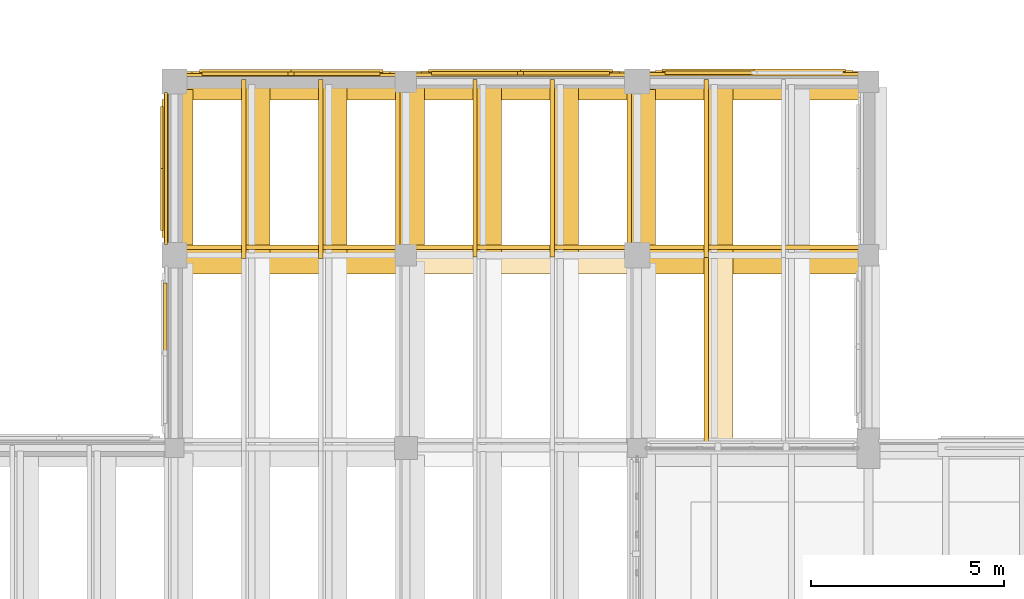
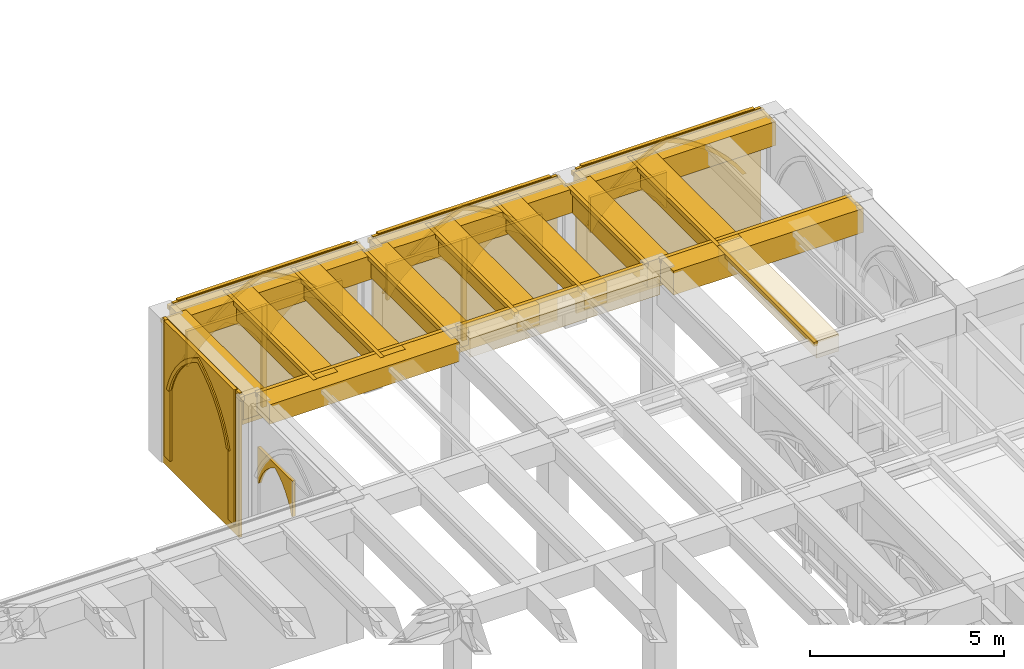
# One storey, part 105 of 127: 50 coverings.
"""IFC4 building model written with IfcOpenShell, lengths in metres."""

from ifc_helpers import new_model, si_unit, direction, frame, origin, origin_2d, place, context, subcontext, project, spatial, polyline, rectangle, outline, extrude, material, type_object, element, save


model = new_model("IFC4")

# Units and contexts
model_context = context("Model", 3, precision=1e-05, world=origin(), true_north=direction((0.0, 1.0)))
body_context = subcontext(model_context, "Body", "Model", "MODEL_VIEW")
ifc_project = project(units=[si_unit("LENGTHUNIT", "METRE"), si_unit("AREAUNIT", "SQUARE_METRE"), si_unit("VOLUMEUNIT", "CUBIC_METRE"), si_unit("PLANEANGLEUNIT", "RADIAN"), si_unit("MASSUNIT", "GRAM", prefix="KILO")], contexts=[model_context])

# Site, building, storey
site_placement = place(None, origin())
site = spatial("IfcSite", under=ifc_project, at=site_placement, CompositionType="ELEMENT")
building_placement = place(site_placement, origin())
building = spatial("IfcBuilding", under=site, at=building_placement, Name="Cumevento Cable Car Station", CompositionType="ELEMENT")
storey_placement = place(building_placement, frame((0.0, 0.0, 4.5)))
storey = spatial("IfcBuildingStorey", under=building, at=storey_placement, Name="L02", CompositionType="ELEMENT", Elevation=4.5)

# Coverings
ifc_material = material(Name="Gnaisse Facoidal Stone Ashlar 85 MPa", Category="masonry")
covering_type = type_object("IfcCoveringType", Name="Gnaisse Ashlar Cladding CV-CL01", PredefinedType="CLADDING", material=ifc_material)
covering_1_placement = place(storey_placement, frame((55.02490234375, 61.35009765625, 3.843994140625), z_axis=(0.0, 0.0, 1.0), x_axis=(1.0, 0.0, 0.0)))
element("IfcCovering", 1, at=covering_1_placement, inside=storey, type_object=covering_type, Name="Gothic Stone Spandrel Stringcourse sc:0424", PredefinedType="CLADDING", context=body_context, shape_type="SweptSolid", body=[
    extrude(rectangle(XDim=5.639892578125, YDim=0.659912109375, at=origin_2d()), origin(), (0.0, 0.0, 1.0), 0.60595703125),
])
covering_2_placement = place(storey_placement, frame((55.02490234375, 61.70751953125, 4.320068359375), z_axis=(0.0, 0.0, 1.0), x_axis=(1.0, 0.0, 0.0)))
element("IfcCovering", 2, at=covering_2_placement, inside=storey, type_object=covering_type, Name="Gothic Cornice Dripstone Lip sc:0424", PredefinedType="CLADDING", context=body_context, shape_type="SweptSolid", body=[
    extrude(rectangle(XDim=5.679931640625, YDim=0.114990234375, at=origin_2d()), origin(), (0.0, 0.0, 1.0), 0.1298828125),
])
covering_3_placement = place(storey_placement, frame((60.97509765625, 61.350830078125, 3.85791015625), z_axis=(0.0, 0.0, 1.0), x_axis=(1.0, 0.0, 0.0)))
element("IfcCovering", 3, at=covering_3_placement, inside=storey, type_object=covering_type, Name="Gothic Stone Spandrel Stringcourse sc:0425", PredefinedType="CLADDING", context=body_context, shape_type="SweptSolid", body=[
    extrude(rectangle(XDim=5.639892578125, YDim=0.66162109375, at=origin_2d()), origin(), (0.0, 0.0, 1.0), 0.592041015625),
])
covering_4_placement = place(storey_placement, frame((60.97509765625, 61.708984375, 4.320068359375), z_axis=(0.0, 0.0, 1.0), x_axis=(1.0, 0.0, 0.0)))
element("IfcCovering", 4, at=covering_4_placement, inside=storey, type_object=covering_type, Name="Gothic Cornice Dripstone Lip sc:0425", PredefinedType="CLADDING", context=body_context, shape_type="SweptSolid", body=[
    extrude(rectangle(XDim=5.679931640625, YDim=0.114990234375, at=origin_2d()), origin(), (0.0, 0.0, 1.0), 0.1298828125),
])
covering_5_placement = place(storey_placement, frame((67.02490234375, 61.35009765625, 3.697021484375), z_axis=(0.0, 0.0, 1.0), x_axis=(1.0, 0.0, 0.0)))
element("IfcCovering", 5, at=covering_5_placement, inside=storey, type_object=covering_type, Name="Gothic Stone Spandrel Stringcourse sc:0426", PredefinedType="CLADDING", context=body_context, shape_type="SweptSolid", body=[
    extrude(rectangle(XDim=5.639892578125, YDim=0.659912109375, at=origin_2d()), origin(), (0.0, 0.0, 1.0), 0.7529296875),
])
covering_6_placement = place(storey_placement, frame((67.02490234375, 61.70751953125, 4.320068359375), z_axis=(0.0, 0.0, 1.0), x_axis=(1.0, 0.0, 0.0)))
element("IfcCovering", 6, at=covering_6_placement, inside=storey, type_object=covering_type, Name="Gothic Cornice Dripstone Lip sc:0426", PredefinedType="CLADDING", context=body_context, shape_type="SweptSolid", body=[
    extrude(rectangle(XDim=5.679931640625, YDim=0.114990234375, at=origin_2d()), origin(), (0.0, 0.0, 1.0), 0.1298828125),
])
covering_7_placement = place(storey_placement, frame((55.02490234375, 65.85009765625, 3.702880859375), z_axis=(0.0, 0.0, 1.0), x_axis=(1.0, 0.0, 0.0)))
element("IfcCovering", 7, at=covering_7_placement, inside=storey, type_object=covering_type, Name="Gothic Stone Spandrel Stringcourse sc:0427", PredefinedType="CLADDING", context=body_context, shape_type="SweptSolid", body=[
    extrude(rectangle(XDim=5.639892578125, YDim=0.659912109375, at=origin_2d()), origin(), (0.0, 0.0, 1.0), 0.7470703125),
])
covering_8_placement = place(storey_placement, frame((55.02490234375, 66.20751953125, 4.320068359375), z_axis=(0.0, 0.0, 1.0), x_axis=(1.0, 0.0, 0.0)))
element("IfcCovering", 8, at=covering_8_placement, inside=storey, type_object=covering_type, Name="Gothic Cornice Dripstone Lip sc:0427", PredefinedType="CLADDING", context=body_context, shape_type="SweptSolid", body=[
    extrude(rectangle(XDim=5.679931640625, YDim=0.114990234375, at=origin_2d()), origin(), (0.0, 0.0, 1.0), 0.1298828125),
])
covering_9_placement = place(storey_placement, frame((60.97509765625, 65.85009765625, 3.702880859375), z_axis=(0.0, 0.0, 1.0), x_axis=(1.0, 0.0, 0.0)))
element("IfcCovering", 9, at=covering_9_placement, inside=storey, type_object=covering_type, Name="Gothic Stone Spandrel Stringcourse sc:0428", PredefinedType="CLADDING", context=body_context, shape_type="SweptSolid", body=[
    extrude(rectangle(XDim=5.639892578125, YDim=0.659912109375, at=origin_2d()), origin(), (0.0, 0.0, 1.0), 0.7470703125),
])
covering_10_placement = place(storey_placement, frame((60.97509765625, 66.20751953125, 4.320068359375), z_axis=(0.0, 0.0, 1.0), x_axis=(1.0, 0.0, 0.0)))
element("IfcCovering", 10, at=covering_10_placement, inside=storey, type_object=covering_type, Name="Gothic Cornice Dripstone Lip sc:0428", PredefinedType="CLADDING", context=body_context, shape_type="SweptSolid", body=[
    extrude(rectangle(XDim=5.679931640625, YDim=0.114990234375, at=origin_2d()), origin(), (0.0, 0.0, 1.0), 0.1298828125),
])
covering_11_placement = place(storey_placement, frame((67.02490234375, 65.85009765625, 3.702880859375), z_axis=(0.0, 0.0, 1.0), x_axis=(1.0, 0.0, 0.0)))
element("IfcCovering", 11, at=covering_11_placement, inside=storey, type_object=covering_type, Name="Gothic Stone Spandrel Stringcourse sc:0429", PredefinedType="CLADDING", context=body_context, shape_type="SweptSolid", body=[
    extrude(rectangle(XDim=5.639892578125, YDim=0.659912109375, at=origin_2d()), origin(), (0.0, 0.0, 1.0), 0.7470703125),
])
covering_12_placement = place(storey_placement, frame((67.02490234375, 66.20751953125, 4.320068359375), z_axis=(0.0, 0.0, 1.0), x_axis=(1.0, 0.0, 0.0)))
element("IfcCovering", 12, at=covering_12_placement, inside=storey, type_object=covering_type, Name="Gothic Cornice Dripstone Lip sc:0429", PredefinedType="CLADDING", context=body_context, shape_type="SweptSolid", body=[
    extrude(rectangle(XDim=5.679931640625, YDim=0.114990234375, at=origin_2d()), origin(), (0.0, 0.0, 1.0), 0.1298828125),
])
covering_13_placement = place(storey_placement, frame((52.14990234375, 63.75, 3.702880859375), z_axis=(0.0, 0.0, 1.0), x_axis=(0.0, 1.0, 0.0)))
element("IfcCovering", 13, at=covering_13_placement, inside=storey, type_object=covering_type, Name="Gothic Stone Spandrel Stringcourse sc:0431", PredefinedType="CLADDING", context=body_context, shape_type="SweptSolid", body=[
    extrude(rectangle(XDim=4.090087890625, YDim=0.659912109375, at=origin_2d()), origin(), (0.0, 0.0, 1.0), 0.7470703125),
])
covering_14_placement = place(storey_placement, frame((51.79248046875, 63.75, 4.320068359375), z_axis=(0.0, 0.0, 1.0), x_axis=(0.0, 1.0, 0.0)))
element("IfcCovering", 14, at=covering_14_placement, inside=storey, type_object=covering_type, Name="Gothic Cornice Dripstone Lip sc:0431", PredefinedType="CLADDING", context=body_context, shape_type="SweptSolid", body=[
    extrude(rectangle(XDim=4.1298828125, YDim=0.114990234375, at=origin_2d()), origin(), (0.0, 0.0, 1.0), 0.1298828125),
])
covering_15_placement = place(storey_placement, frame((58.148681640625, 63.75, 3.755859375), z_axis=(0.0, 0.0, 1.0), x_axis=(0.0, 1.0, 0.0)))
element("IfcCovering", 15, at=covering_15_placement, inside=storey, type_object=covering_type, Name="Gothic Stone Spandrel Stringcourse sc:0433", PredefinedType="CLADDING", context=body_context, shape_type="SweptSolid", body=[
    extrude(rectangle(XDim=4.18994140625, YDim=0.66259765625, at=origin_2d()), origin(), (0.0, 0.0, 1.0), 0.694091796875),
])
covering_16_placement = place(storey_placement, frame((57.7900390625, 63.75, 4.320068359375), z_axis=(0.0, 0.0, 1.0), x_axis=(0.0, 1.0, 0.0)))
element("IfcCovering", 16, at=covering_16_placement, inside=storey, type_object=covering_type, Name="Gothic Cornice Dripstone Lip sc:0433", PredefinedType="CLADDING", context=body_context, shape_type="SweptSolid", body=[
    extrude(rectangle(XDim=4.22998046875, YDim=0.114990234375, at=origin_2d()), origin(), (0.0, 0.0, 1.0), 0.1298828125),
])
covering_17_placement = place(storey_placement, frame((64.14990234375, 63.75, 3.65283203125), z_axis=(0.0, 0.0, 1.0), x_axis=(0.0, 1.0, 0.0)))
element("IfcCovering", 17, at=covering_17_placement, inside=storey, type_object=covering_type, Name="Gothic Stone Spandrel Stringcourse sc:0435", PredefinedType="CLADDING", context=body_context, shape_type="SweptSolid", body=[
    extrude(rectangle(XDim=4.090087890625, YDim=0.659912109375, at=origin_2d()), origin(), (0.0, 0.0, 1.0), 0.797119140625),
])
covering_18_placement = place(storey_placement, frame((63.79248046875, 63.75, 4.320068359375), z_axis=(0.0, 0.0, 1.0), x_axis=(0.0, 1.0, 0.0)))
element("IfcCovering", 18, at=covering_18_placement, inside=storey, type_object=covering_type, Name="Gothic Cornice Dripstone Lip sc:0435", PredefinedType="CLADDING", context=body_context, shape_type="SweptSolid", body=[
    extrude(rectangle(XDim=4.1298828125, YDim=0.114990234375, at=origin_2d()), origin(), (0.0, 0.0, 1.0), 0.1298828125),
])
covering_19_placement = place(storey_placement, frame((54.14990234375, 63.742431640625, 3.800048828125), z_axis=(0.0, 0.0, 1.0), x_axis=(0.0, 1.0, 0.0)))
element("IfcCovering", 19, at=covering_19_placement, inside=storey, type_object=covering_type, Name="Gothic Stone Spandrel Stringcourse sc:0541", PredefinedType="CLADDING", context=body_context, shape_type="SweptSolid", body=[
    extrude(rectangle(XDim=4.60107421875, YDim=0.659912109375, at=origin_2d()), origin(), (0.0, 0.0, 1.0), 0.64990234375),
])
covering_20_placement = place(storey_placement, frame((53.79248046875, 63.742431640625, 4.320068359375), z_axis=(0.0, 0.0, 1.0), x_axis=(0.0, 1.0, 0.0)))
element("IfcCovering", 20, at=covering_20_placement, inside=storey, type_object=covering_type, Name="Gothic Cornice Dripstone Lip sc:0541", PredefinedType="CLADDING", context=body_context, shape_type="SweptSolid", body=[
    extrude(rectangle(XDim=4.64111328125, YDim=0.114990234375, at=origin_2d()), origin(), (0.0, 0.0, 1.0), 0.1298828125),
])
covering_21_placement = place(storey_placement, frame((56.14990234375, 63.742431640625, 3.800048828125), z_axis=(0.0, 0.0, 1.0), x_axis=(0.0, 1.0, 0.0)))
element("IfcCovering", 21, at=covering_21_placement, inside=storey, type_object=covering_type, Name="Gothic Stone Spandrel Stringcourse sc:0543", PredefinedType="CLADDING", context=body_context, shape_type="SweptSolid", body=[
    extrude(rectangle(XDim=4.60107421875, YDim=0.659912109375, at=origin_2d()), origin(), (0.0, 0.0, 1.0), 0.64990234375),
])
covering_22_placement = place(storey_placement, frame((55.79248046875, 63.742431640625, 4.320068359375), z_axis=(0.0, 0.0, 1.0), x_axis=(0.0, 1.0, 0.0)))
element("IfcCovering", 22, at=covering_22_placement, inside=storey, type_object=covering_type, Name="Gothic Cornice Dripstone Lip sc:0543", PredefinedType="CLADDING", context=body_context, shape_type="SweptSolid", body=[
    extrude(rectangle(XDim=4.64111328125, YDim=0.114990234375, at=origin_2d()), origin(), (0.0, 0.0, 1.0), 0.1298828125),
])
covering_23_placement = place(storey_placement, frame((60.14990234375, 63.75634765625, 3.800048828125), z_axis=(0.0, 0.0, 1.0), x_axis=(0.0, 1.0, 0.0)))
element("IfcCovering", 23, at=covering_23_placement, inside=storey, type_object=covering_type, Name="Gothic Stone Spandrel Stringcourse sc:0545", PredefinedType="CLADDING", context=body_context, shape_type="SweptSolid", body=[
    extrude(rectangle(XDim=4.573486328125, YDim=0.659912109375, at=origin_2d()), origin(), (0.0, 0.0, 1.0), 0.64990234375),
])
covering_24_placement = place(storey_placement, frame((59.79248046875, 63.75634765625, 4.320068359375), z_axis=(0.0, 0.0, 1.0), x_axis=(0.0, 1.0, 0.0)))
element("IfcCovering", 24, at=covering_24_placement, inside=storey, type_object=covering_type, Name="Gothic Cornice Dripstone Lip sc:0545", PredefinedType="CLADDING", context=body_context, shape_type="SweptSolid", body=[
    extrude(rectangle(XDim=4.613525390625, YDim=0.114990234375, at=origin_2d()), origin(), (0.0, 0.0, 1.0), 0.1298828125),
])
covering_25_placement = place(storey_placement, frame((62.14990234375, 63.75634765625, 3.800048828125), z_axis=(0.0, 0.0, 1.0), x_axis=(0.0, 1.0, 0.0)))
element("IfcCovering", 25, at=covering_25_placement, inside=storey, type_object=covering_type, Name="Gothic Stone Spandrel Stringcourse sc:0547", PredefinedType="CLADDING", context=body_context, shape_type="SweptSolid", body=[
    extrude(rectangle(XDim=4.573486328125, YDim=0.659912109375, at=origin_2d()), origin(), (0.0, 0.0, 1.0), 0.64990234375),
])
covering_26_placement = place(storey_placement, frame((61.79248046875, 63.75634765625, 4.320068359375), z_axis=(0.0, 0.0, 1.0), x_axis=(0.0, 1.0, 0.0)))
element("IfcCovering", 26, at=covering_26_placement, inside=storey, type_object=covering_type, Name="Gothic Cornice Dripstone Lip sc:0547", PredefinedType="CLADDING", context=body_context, shape_type="SweptSolid", body=[
    extrude(rectangle(XDim=4.613525390625, YDim=0.114990234375, at=origin_2d()), origin(), (0.0, 0.0, 1.0), 0.1298828125),
])
covering_27_placement = place(storey_placement, frame((66.14990234375, 59.0029296875, 3.908935546875), z_axis=(0.0, 0.0, 1.0), x_axis=(0.0, 1.0, 0.0)))
element("IfcCovering", 27, at=covering_27_placement, inside=storey, type_object=covering_type, Name="Gothic Stone Spandrel Stringcourse sc:0548", PredefinedType="CLADDING", context=body_context, shape_type="SweptSolid", body=[
    extrude(rectangle(XDim=5.077880859375, YDim=0.659912109375, at=origin_2d()), origin(), (0.0, 0.0, 1.0), 0.541015625),
])
covering_28_placement = place(storey_placement, frame((65.79248046875, 59.0029296875, 4.320068359375), z_axis=(0.0, 0.0, 1.0), x_axis=(0.0, 1.0, 0.0)))
element("IfcCovering", 28, at=covering_28_placement, inside=storey, type_object=covering_type, Name="Gothic Cornice Dripstone Lip sc:0548", PredefinedType="CLADDING", context=body_context, shape_type="SweptSolid", body=[
    extrude(rectangle(XDim=5.117919921875, YDim=0.114990234375, at=origin_2d()), origin(), (0.0, 0.0, 1.0), 0.1298828125),
])
covering_29_placement = place(storey_placement, frame((66.14990234375, 63.75048828125, 3.800048828125), z_axis=(0.0, 0.0, 1.0), x_axis=(0.0, 1.0, 0.0)))
element("IfcCovering", 29, at=covering_29_placement, inside=storey, type_object=covering_type, Name="Gothic Stone Spandrel Stringcourse sc:0549", PredefinedType="CLADDING", context=body_context, shape_type="SweptSolid", body=[
    extrude(rectangle(XDim=4.5849609375, YDim=0.659912109375, at=origin_2d()), origin(), (0.0, 0.0, 1.0), 0.64990234375),
])
covering_30_placement = place(storey_placement, frame((65.79248046875, 63.75048828125, 4.320068359375), z_axis=(0.0, 0.0, 1.0), x_axis=(0.0, 1.0, 0.0)))
element("IfcCovering", 30, at=covering_30_placement, inside=storey, type_object=covering_type, Name="Gothic Cornice Dripstone Lip sc:0549", PredefinedType="CLADDING", context=body_context, shape_type="SweptSolid", body=[
    extrude(rectangle(XDim=4.625, YDim=0.114990234375, at=origin_2d()), origin(), (0.0, 0.0, 1.0), 0.1298828125),
])
covering_31_placement = place(storey_placement, frame((52.324951171875, 66.0, 0.0), z_axis=(0.0, 0.0, 1.0), x_axis=(1.0, 0.0, 0.0)))
element("IfcCovering", 31, at=covering_31_placement, inside=storey, type_object=covering_type, Name="Exterior Gnaisse Stone Wall Ashlar #66", PredefinedType="CLADDING", context=body_context, shape_type="SweptSolid", body=[
    extrude(outline(polyline([(-0.0400390625, -0.02001953125), (5.43994140625, -0.02001953125), (5.43994140625, 4.52001953125), (-0.0400390625, 4.52001953125), (-0.0400390625, -0.02001953125)])), frame((0.0, 0.215087890625, 0.0), z_axis=(0.0, -1.0, 0.0), x_axis=(1.0, 0.0, 0.0)), (0.0, 0.0, 1.0), 0.0849609375),
])
placement_1 = place(storey_placement, frame((52.5048828125, 66.0, 0.300048828125), z_axis=(0.0, 0.0, 1.0), x_axis=(1.0, 0.0, 0.0)))
element("IfcCovering", 32, at=placement_1, inside=storey, type_object=covering_type, Name="Gothic Ogival Pointed-Arch Stone Spandrel blind_ogival:0066", PredefinedType="CLADDING", context=body_context, shape_type="SweptSolid", body=[
    extrude(outline(polyline([(-0.050048828125, 0.0), (-0.050048828125, 4.239990234375), (5.090087890625, 4.239990234375), (5.090087890625, 0.0), (4.780029296875, 0.0), (4.780029296875, 2.219970703125), (4.531982421875, 2.55810546875), (4.255126953125, 2.872802734375), (3.951416015625, 3.161865234375), (3.62353515625, 3.423095703125), (3.273681640625, 3.654296875), (2.905029296875, 3.853759765625), (2.52001953125, 4.02001953125), (2.135009765625, 3.853759765625), (1.766357421875, 3.654296875), (1.41650390625, 3.423095703125), (1.088623046875, 3.161865234375), (0.784912109375, 2.872802734375), (0.508056640625, 2.55810546875), (0.260009765625, 2.219970703125), (0.260009765625, 0.0), (-0.050048828125, 0.0)])), frame((0.0, 0.27001953125, 0.0), z_axis=(0.0, -1.0, 0.0), x_axis=(1.0, 0.0, 0.0)), (0.0, 0.0, 1.0), 0.110107421875),
])
covering_33_placement = place(storey_placement, frame((52.5048828125, 66.0, 2.52001953125), z_axis=(0.0, 0.0, 1.0), x_axis=(1.0, 0.0, 0.0)))
element("IfcCovering", 33, at=covering_33_placement, inside=storey, type_object=covering_type, Name="Gothic Pointed Archivolt Hood Moulding blind_ogival:0066", PredefinedType="CLADDING", context=body_context, shape_type="SweptSolid", body=[
    extrude(outline(polyline([(0.260009765625, 0.0), (0.508056640625, 0.338134765625), (0.784912109375, 0.65283203125), (1.088623046875, 0.94189453125), (1.41650390625, 1.203125), (1.766357421875, 1.434326171875), (2.135009765625, 1.6337890625), (2.52001953125, 1.800048828125), (2.905029296875, 1.6337890625), (3.273681640625, 1.434326171875), (3.62353515625, 1.203125), (3.951416015625, 0.94189453125), (4.255126953125, 0.65283203125), (4.531982421875, 0.338134765625), (4.780029296875, 0.0), (4.90087890625, 0.0), (4.6435546875, 0.365478515625), (4.354248046875, 0.706298828125), (4.03564453125, 1.01953125), (3.689697265625, 1.302978515625), (3.31982421875, 1.553955078125), (2.928955078125, 1.770751953125), (2.52001953125, 1.951171875), (2.111083984375, 1.770751953125), (1.72021484375, 1.553955078125), (1.350341796875, 1.302978515625), (1.00439453125, 1.01953125), (0.685791015625, 0.706298828125), (0.396484375, 0.365478515625), (0.138916015625, 0.0), (0.260009765625, 0.0)])), frame((0.0, 0.31201171875, 0.0), z_axis=(0.0, -1.0, 0.0), x_axis=(1.0, 0.0, 0.0)), (0.0, 0.0, 1.0), 0.06689453125),
])
element("IfcCovering", 34, at=placement_1, inside=storey, type_object=covering_type, Name="Gothic Bifora Stone Colonnette blind_ogival:0066 #1", PredefinedType="CLADDING", context=body_context, shape_type="SweptSolid", body=[
    extrude(outline(polyline([(2.445068359375, -0.02001953125), (2.594970703125, -0.02001953125), (2.594970703125, 3.156005859375), (2.445068359375, 3.156005859375), (2.445068359375, -0.02001953125)])), frame((0.0, 0.258056640625, 0.0), z_axis=(0.0, -1.0, 0.0), x_axis=(1.0, 0.0, 0.0)), (0.0, 0.0, 1.0), 0.094970703125),
])
for number, where, z_axis, x_axis, name in (
    (35, (52.735107421875, 66.0, 2.340087890625), (0.0, 0.0, 1.0), (1.0, 0.0, 0.0), "Gothic Ogival Pointed-Arch Stone Spandrel blind_ogival:0066:sub:0"),
    (36, (55.070068359375, 66.0, 2.340087890625), (0.0, 0.0, 1.0), (1.0, 0.0, 0.0), "Gothic Ogival Pointed-Arch Stone Spandrel blind_ogival:0066:sub:1"),
):
    element("IfcCovering", number, at=place(storey_placement, frame(where, z_axis=z_axis, x_axis=x_axis)), inside=storey, type_object=covering_type, Name=name, PredefinedType="CLADDING", context=body_context, shape_type="SweptSolid", body=[
        extrude(outline(polyline([(-0.02001953125, 0.0), (-0.02001953125, 1.115966796875), (2.264892578125, 1.115966796875), (2.264892578125, 0.0), (2.205078125, 0.0), (2.076171875, 0.214111328125), (1.923828125, 0.412109375), (1.75, 0.591552734375), (1.556640625, 0.75), (1.3466796875, 0.88525390625), (1.12255859375, 0.99609375), (0.8984375, 0.88525390625), (0.6884765625, 0.75), (0.4951171875, 0.591552734375), (0.3212890625, 0.412109375), (0.1689453125, 0.214111328125), (0.0400390625, 0.0), (-0.02001953125, 0.0)])), frame((0.0, 0.25390625, 0.0), z_axis=(0.0, -1.0, 0.0), x_axis=(1.0, 0.0, 0.0)), (0.0, 0.0, 1.0), 0.090087890625),
    ])
covering_35_placement = place(storey_placement, frame((58.27490234375, 66.0, 0.0), z_axis=(0.0, 0.0, 1.0), x_axis=(1.0, 0.0, 0.0)))
element("IfcCovering", 37, at=covering_35_placement, inside=storey, type_object=covering_type, Name="Exterior Gnaisse Stone Wall Ashlar #67", PredefinedType="CLADDING", context=body_context, shape_type="SweptSolid", body=[
    extrude(outline(polyline([(-0.0400390625, -0.02001953125), (5.43994140625, -0.02001953125), (5.43994140625, 4.52001953125), (-0.0400390625, 4.52001953125), (-0.0400390625, -0.02001953125)])), frame((0.0, 0.22509765625, 0.0), z_axis=(0.0, -1.0, 0.0), x_axis=(1.0, 0.0, 0.0)), (0.0, 0.0, 1.0), 0.0849609375),
])
placement_2 = place(storey_placement, frame((58.455078125, 66.0, 0.300048828125), z_axis=(0.0, 0.0, 1.0), x_axis=(1.0, 0.0, 0.0)))
element("IfcCovering", 38, at=placement_2, inside=storey, type_object=covering_type, Name="Gothic Ogival Pointed-Arch Stone Spandrel blind_ogival:0067", PredefinedType="CLADDING", context=body_context, shape_type="SweptSolid", body=[
    extrude(outline(polyline([(-0.050048828125, 0.0), (-0.050048828125, 4.239990234375), (5.090087890625, 4.239990234375), (5.090087890625, 0.0), (4.780029296875, 0.0), (4.780029296875, 2.219970703125), (4.531982421875, 2.55810546875), (4.255126953125, 2.872802734375), (3.951416015625, 3.161865234375), (3.62353515625, 3.423095703125), (3.273681640625, 3.654296875), (2.905029296875, 3.853759765625), (2.52001953125, 4.02001953125), (2.135009765625, 3.853759765625), (1.766357421875, 3.654296875), (1.41650390625, 3.423095703125), (1.088623046875, 3.161865234375), (0.784912109375, 2.872802734375), (0.508056640625, 2.55810546875), (0.260009765625, 2.219970703125), (0.260009765625, 0.0), (-0.050048828125, 0.0)])), frame((0.0, 0.280029296875, 0.0), z_axis=(0.0, -1.0, 0.0), x_axis=(1.0, 0.0, 0.0)), (0.0, 0.0, 1.0), 0.110107421875),
])
covering_37_placement = place(storey_placement, frame((58.455078125, 66.0, 2.52001953125), z_axis=(0.0, 0.0, 1.0), x_axis=(1.0, 0.0, 0.0)))
element("IfcCovering", 39, at=covering_37_placement, inside=storey, type_object=covering_type, Name="Gothic Pointed Archivolt Hood Moulding blind_ogival:0067", PredefinedType="CLADDING", context=body_context, shape_type="SweptSolid", body=[
    extrude(outline(polyline([(0.260009765625, 0.0), (0.508056640625, 0.338134765625), (0.784912109375, 0.65283203125), (1.088623046875, 0.94189453125), (1.41650390625, 1.203125), (1.766357421875, 1.434326171875), (2.135009765625, 1.6337890625), (2.52001953125, 1.800048828125), (2.905029296875, 1.6337890625), (3.273681640625, 1.434326171875), (3.62353515625, 1.203125), (3.951416015625, 0.94189453125), (4.255126953125, 0.65283203125), (4.531982421875, 0.338134765625), (4.780029296875, 0.0), (4.90087890625, 0.0), (4.6435546875, 0.365478515625), (4.354248046875, 0.706298828125), (4.03564453125, 1.01953125), (3.689697265625, 1.302978515625), (3.31982421875, 1.553955078125), (2.928955078125, 1.770751953125), (2.52001953125, 1.951171875), (2.111083984375, 1.770751953125), (1.72021484375, 1.553955078125), (1.350341796875, 1.302978515625), (1.00439453125, 1.01953125), (0.685791015625, 0.706298828125), (0.396484375, 0.365478515625), (0.138916015625, 0.0), (0.260009765625, 0.0)])), frame((0.0, 0.322021484375, 0.0), z_axis=(0.0, -1.0, 0.0), x_axis=(1.0, 0.0, 0.0)), (0.0, 0.0, 1.0), 0.06689453125),
])
element("IfcCovering", 40, at=placement_2, inside=storey, type_object=covering_type, Name="Gothic Bifora Stone Colonnette blind_ogival:0067 #1", PredefinedType="CLADDING", context=body_context, shape_type="SweptSolid", body=[
    extrude(outline(polyline([(2.445068359375, -0.02001953125), (2.594970703125, -0.02001953125), (2.594970703125, 3.156005859375), (2.445068359375, 3.156005859375), (2.445068359375, -0.02001953125)])), frame((0.0, 0.26806640625, 0.0), z_axis=(0.0, -1.0, 0.0), x_axis=(1.0, 0.0, 0.0)), (0.0, 0.0, 1.0), 0.094970703125),
])
for number, where, z_axis, x_axis, name in (
    (41, (58.68505859375, 66.0, 2.340087890625), (0.0, 0.0, 1.0), (1.0, 0.0, 0.0), "Gothic Ogival Pointed-Arch Stone Spandrel blind_ogival:0067:sub:0"),
    (42, (61.02001953125, 66.0, 2.340087890625), (0.0, 0.0, 1.0), (1.0, 0.0, 0.0), "Gothic Ogival Pointed-Arch Stone Spandrel blind_ogival:0067:sub:1"),
):
    element("IfcCovering", number, at=place(storey_placement, frame(where, z_axis=z_axis, x_axis=x_axis)), inside=storey, type_object=covering_type, Name=name, PredefinedType="CLADDING", context=body_context, shape_type="SweptSolid", body=[
        extrude(outline(polyline([(-0.02001953125, 0.0), (-0.02001953125, 1.115966796875), (2.264892578125, 1.115966796875), (2.264892578125, 0.0), (2.205078125, 0.0), (2.076171875, 0.214111328125), (1.923828125, 0.412109375), (1.75, 0.591552734375), (1.556640625, 0.75), (1.3466796875, 0.88525390625), (1.12255859375, 0.99609375), (0.8984375, 0.88525390625), (0.6884765625, 0.75), (0.4951171875, 0.591552734375), (0.3212890625, 0.412109375), (0.1689453125, 0.214111328125), (0.0400390625, 0.0), (-0.02001953125, 0.0)])), frame((0.0, 0.263916015625, 0.0), z_axis=(0.0, -1.0, 0.0), x_axis=(1.0, 0.0, 0.0)), (0.0, 0.0, 1.0), 0.090087890625),
    ])
covering_39_placement = place(storey_placement, frame((64.324951171875, 66.0, 0.0), z_axis=(0.0, 0.0, 1.0), x_axis=(1.0, 0.0, 0.0)))
element("IfcCovering", 43, at=covering_39_placement, inside=storey, type_object=covering_type, Name="Exterior Gnaisse Stone Wall Ashlar #68", PredefinedType="CLADDING", context=body_context, shape_type="SweptSolid", body=[
    extrude(outline(polyline([(-0.0400390625, -0.02001953125), (5.43994140625, -0.02001953125), (5.43994140625, 4.52001953125), (-0.0400390625, 4.52001953125), (-0.0400390625, -0.02001953125)])), frame((0.0, 0.237548828125, 0.0), z_axis=(0.0, -1.0, 0.0), x_axis=(1.0, 0.0, 0.0)), (0.0, 0.0, 1.0), 0.0849609375),
])
covering_40_placement = place(storey_placement, frame((64.5048828125, 66.0, 0.300048828125), z_axis=(0.0, 0.0, 1.0), x_axis=(1.0, 0.0, 0.0)))
element("IfcCovering", 44, at=covering_40_placement, inside=storey, type_object=covering_type, Name="Gothic Ogival Pointed-Arch Stone Spandrel blind_ogival:0068", PredefinedType="CLADDING", context=body_context, shape_type="SweptSolid", body=[
    extrude(outline(polyline([(-0.050048828125, 0.0), (-0.050048828125, 4.239990234375), (5.090087890625, 4.239990234375), (5.090087890625, 0.0), (4.780029296875, 0.0), (4.780029296875, 2.219970703125), (4.531982421875, 2.55810546875), (4.255126953125, 2.872802734375), (3.951416015625, 3.161865234375), (3.62353515625, 3.423095703125), (3.273681640625, 3.654296875), (2.905029296875, 3.853759765625), (2.52001953125, 4.02001953125), (2.135009765625, 3.853759765625), (1.766357421875, 3.654296875), (1.41650390625, 3.423095703125), (1.088623046875, 3.161865234375), (0.784912109375, 2.872802734375), (0.508056640625, 2.55810546875), (0.260009765625, 2.219970703125), (0.260009765625, 0.0), (-0.050048828125, 0.0)])), frame((0.0, 0.29248046875, 0.0), z_axis=(0.0, -1.0, 0.0), x_axis=(1.0, 0.0, 0.0)), (0.0, 0.0, 1.0), 0.110107421875),
])
covering_41_placement = place(storey_placement, frame((64.5048828125, 66.0, 2.52001953125), z_axis=(0.0, 0.0, 1.0), x_axis=(1.0, 0.0, 0.0)))
element("IfcCovering", 45, at=covering_41_placement, inside=storey, type_object=covering_type, Name="Gothic Pointed Archivolt Hood Moulding blind_ogival:0068", PredefinedType="CLADDING", context=body_context, shape_type="SweptSolid", body=[
    extrude(outline(polyline([(0.260009765625, 0.0), (0.508056640625, 0.338134765625), (0.784912109375, 0.65283203125), (1.088623046875, 0.94189453125), (1.41650390625, 1.203125), (1.766357421875, 1.434326171875), (2.135009765625, 1.6337890625), (2.52001953125, 1.800048828125), (2.905029296875, 1.6337890625), (3.273681640625, 1.434326171875), (3.62353515625, 1.203125), (3.951416015625, 0.94189453125), (4.255126953125, 0.65283203125), (4.531982421875, 0.338134765625), (4.780029296875, 0.0), (4.90087890625, 0.0), (4.6435546875, 0.365478515625), (4.354248046875, 0.706298828125), (4.03564453125, 1.01953125), (3.689697265625, 1.302978515625), (3.31982421875, 1.553955078125), (2.928955078125, 1.770751953125), (2.52001953125, 1.951171875), (2.111083984375, 1.770751953125), (1.72021484375, 1.553955078125), (1.350341796875, 1.302978515625), (1.00439453125, 1.01953125), (0.685791015625, 0.706298828125), (0.396484375, 0.365478515625), (0.138916015625, 0.0), (0.260009765625, 0.0)])), frame((0.0, 0.33447265625, 0.0), z_axis=(0.0, -1.0, 0.0), x_axis=(1.0, 0.0, 0.0)), (0.0, 0.0, 1.0), 0.06689453125),
])
covering_42_placement = place(storey_placement, frame((64.735107421875, 66.0, 2.340087890625), z_axis=(0.0, 0.0, 1.0), x_axis=(1.0, 0.0, 0.0)))
element("IfcCovering", 46, at=covering_42_placement, inside=storey, type_object=covering_type, Name="Gothic Ogival Pointed-Arch Stone Spandrel blind_ogival:0068:sub:0", PredefinedType="CLADDING", context=body_context, shape_type="SweptSolid", body=[
    extrude(outline(polyline([(-0.02001953125, 0.0), (-0.02001953125, 1.115966796875), (2.264892578125, 1.115966796875), (2.264892578125, 0.0), (2.205078125, 0.0), (2.076171875, 0.214111328125), (1.923828125, 0.412109375), (1.75, 0.591552734375), (1.556640625, 0.75), (1.3466796875, 0.88525390625), (1.12255859375, 0.99609375), (0.8984375, 0.88525390625), (0.6884765625, 0.75), (0.4951171875, 0.591552734375), (0.3212890625, 0.412109375), (0.1689453125, 0.214111328125), (0.0400390625, 0.0), (-0.02001953125, 0.0)])), frame((0.0, 0.276611328125, 0.0), z_axis=(0.0, -1.0, 0.0), x_axis=(1.0, 0.0, 0.0)), (0.0, 0.0, 1.0), 0.090087890625),
])
covering_43_placement = place(storey_placement, frame((52.0, 59.007568359375, 2.340087890625), z_axis=(0.0, 0.0, 1.0), x_axis=(0.0, 1.0, 0.0)))
element("IfcCovering", 47, at=covering_43_placement, inside=storey, type_object=covering_type, Name="Gothic Ogival Pointed-Arch Stone Spandrel blind_ogival:0069:sub:1", PredefinedType="CLADDING", context=body_context, shape_type="SweptSolid", body=[
    extrude(outline(polyline([(-0.02001953125, 0.0), (-0.02001953125, 1.115966796875), (1.777587890625, 1.115966796875), (1.777587890625, 0.0), (1.717529296875, 0.0), (1.637939453125, 0.2080078125), (1.531005859375, 0.403564453125), (1.3994140625, 0.583251953125), (1.244873046875, 0.74365234375), (1.0703125, 0.882080078125), (0.878662109375, 0.99609375), (0.687255859375, 0.882080078125), (0.5126953125, 0.74365234375), (0.358154296875, 0.583251953125), (0.2265625, 0.403564453125), (0.11962890625, 0.2080078125), (0.0400390625, 0.0), (-0.02001953125, 0.0)])), frame((0.0, 0.2890625, 0.0), z_axis=(0.0, -1.0, 0.0), x_axis=(1.0, 0.0, 0.0)), (0.0, 0.0, 1.0), 0.090087890625),
])
covering_44_placement = place(storey_placement, frame((52.0, 61.824951171875, 0.0), z_axis=(0.0, 0.0, 1.0), x_axis=(0.0, 1.0, 0.0)))
element("IfcCovering", 48, at=covering_44_placement, inside=storey, type_object=covering_type, Name="Exterior Gnaisse Stone Wall Ashlar #70", PredefinedType="CLADDING", context=body_context, shape_type="SweptSolid", body=[
    extrude(outline(polyline([(-0.0400390625, -0.02001953125), (3.889892578125, -0.02001953125), (3.889892578125, 4.52001953125), (-0.0400390625, 4.52001953125), (-0.0400390625, -0.02001953125)])), frame((0.0, 0.262451171875, 0.0), z_axis=(0.0, -1.0, 0.0), x_axis=(1.0, 0.0, 0.0)), (0.0, 0.0, 1.0), 0.0849609375),
])
covering_45_placement = place(storey_placement, frame((52.0, 62.0048828125, 0.300048828125), z_axis=(0.0, 0.0, 1.0), x_axis=(0.0, 1.0, 0.0)))
element("IfcCovering", 49, at=covering_45_placement, inside=storey, type_object=covering_type, Name="Gothic Ogival Pointed-Arch Stone Spandrel blind_ogival:0070", PredefinedType="CLADDING", context=body_context, shape_type="SweptSolid", body=[
    extrude(outline(polyline([(-0.050048828125, 0.0), (-0.050048828125, 4.239990234375), (3.5400390625, 4.239990234375), (3.5400390625, 0.0), (3.22998046875, 0.0), (3.22998046875, 2.219970703125), (3.114990234375, 2.54248046875), (2.963623046875, 2.849609375), (2.777587890625, 3.13720703125), (2.5595703125, 3.4013671875), (2.3125, 3.638671875), (2.039794921875, 3.845703125), (1.7451171875, 4.02001953125), (1.4501953125, 3.845703125), (1.177490234375, 3.638671875), (0.930419921875, 3.4013671875), (0.71240234375, 3.13720703125), (0.5263671875, 2.849609375), (0.375, 2.54248046875), (0.260009765625, 2.219970703125), (0.260009765625, 0.0), (-0.050048828125, 0.0)])), frame((0.0, 0.3173828125, 0.0), z_axis=(0.0, -1.0, 0.0), x_axis=(1.0, 0.0, 0.0)), (0.0, 0.0, 1.0), 0.110107421875),
])
covering_46_placement = place(storey_placement, frame((52.0, 62.0048828125, 2.52001953125), z_axis=(0.0, 0.0, 1.0), x_axis=(0.0, 1.0, 0.0)))
element("IfcCovering", 50, at=covering_46_placement, inside=storey, type_object=covering_type, Name="Gothic Pointed Archivolt Hood Moulding blind_ogival:0070", PredefinedType="CLADDING", context=body_context, shape_type="SweptSolid", body=[
    extrude(outline(polyline([(0.260009765625, 0.0), (0.375, 0.322509765625), (0.5263671875, 0.629638671875), (0.71240234375, 0.917236328125), (0.930419921875, 1.181396484375), (1.177490234375, 1.418701171875), (1.4501953125, 1.625732421875), (1.7451171875, 1.800048828125), (2.039794921875, 1.625732421875), (2.3125, 1.418701171875), (2.5595703125, 1.181396484375), (2.777587890625, 0.917236328125), (2.963623046875, 0.629638671875), (3.114990234375, 0.322509765625), (3.22998046875, 0.0), (3.35107421875, 0.0), (3.22705078125, 0.349609375), (3.0634765625, 0.682373046875), (2.8623046875, 0.994140625), (2.626708984375, 1.280517578125), (2.359375, 1.537841796875), (2.064208984375, 1.762451171875), (1.7451171875, 1.951171875), (1.42578125, 1.762451171875), (1.130615234375, 1.537841796875), (0.86328125, 1.280517578125), (0.627685546875, 0.994140625), (0.426513671875, 0.682373046875), (0.262939453125, 0.349609375), (0.138916015625, 0.0), (0.260009765625, 0.0)])), frame((0.0, 0.359619140625, 0.0), z_axis=(0.0, -1.0, 0.0), x_axis=(1.0, 0.0, 0.0)), (0.0, 0.0, 1.0), 0.06689453125),
])

save(model, "model.ifc")
